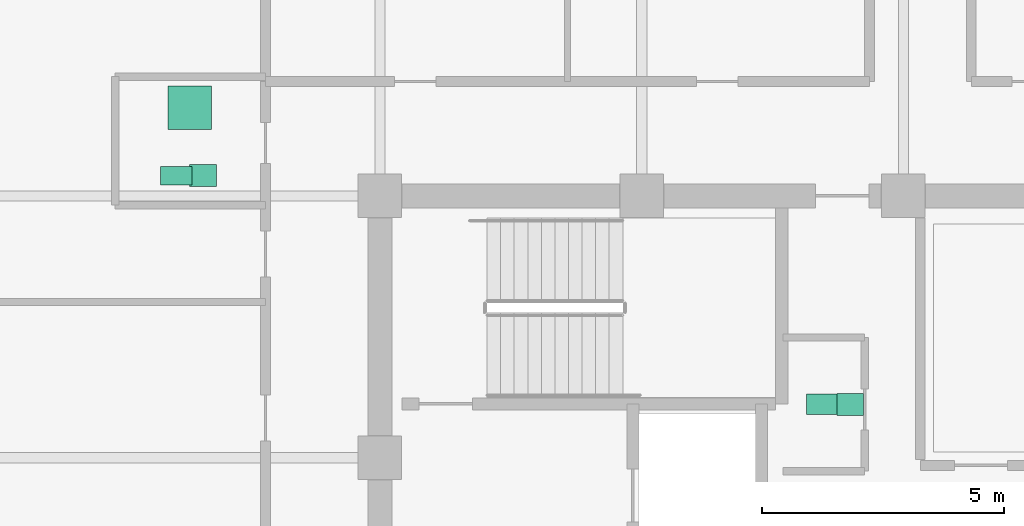
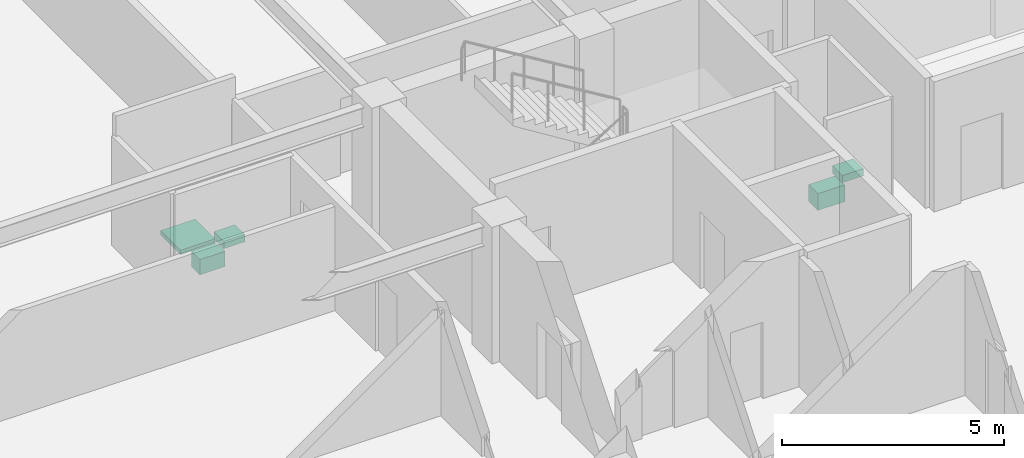
# One storey, part 31 of 31: 5 sanitary terminals.
"""IFC4 building model written with IfcOpenShell, lengths in metres."""

import ifcopenshell
import ifcopenshell.guid

model = None  # the IFC model being written
_history = None  # IfcOwnerHistory: only IFC2X3 demands one
_inside = {}  # id of a spatial element -> (the spatial element, [elements in it])
_under = {}  # id of a project, library or spatial element -> (it, [spatial elements below it])
_declared = {}  # id of a project -> (the project, [libraries it declares])
_typed = {}  # id of a type object -> (the type object, [elements of that type])
_made_of = {}  # id of a material, layer set ... -> (it, [elements and type objects made of it])


def new_model(schema):
    """Start an empty IFC model of exactly this schema.

    Asked for "IFC4X3", IfcOpenShell would pick the latest addendum, in which some entities
    have other attributes; the version numbers below select the first issue.
    IFC2X3 requires an IfcOwnerHistory on every rooted entity: one is made here for all.
    """
    global model, _history
    if schema == "IFC4X3":
        model = ifcopenshell.file(schema_version=(4, 3, 0, 0))
    else:
        model = ifcopenshell.file(schema=schema)
    _inside.clear()
    _under.clear()
    _declared.clear()
    _typed.clear()
    _made_of.clear()
    _history = None
    if model.schema == "IFC2X3":
        org = make("IfcOrganization", Name="unknown")
        user = make(
            "IfcPersonAndOrganization",
            ThePerson=make("IfcPerson", FamilyName="unknown"),
            TheOrganization=org,
        )
        app = make(
            "IfcApplication",
            ApplicationDeveloper=org,
            Version="unknown",
            ApplicationFullName="unknown",
            ApplicationIdentifier="unknown",
        )
        _history = make(
            "IfcOwnerHistory",
            OwningUser=user,
            OwningApplication=app,
            ChangeAction="ADDED",
            CreationDate=0,
        )
    return model


def make(cls, **values):
    """One entity of the class cls with the attributes given. An attribute that is None is left unset."""
    return model.create_entity(
        cls, **{name: value for name, value in values.items() if value is not None}
    )


def rooted(cls, **values):
    """An entity with a GlobalId (a new one), such as an element, a storey or a relation."""
    return make(cls, GlobalId=ifcopenshell.guid.new(), OwnerHistory=_history, **values)


def si_unit(unit_type, name, prefix=None):
    """IfcSIUnit, for example si_unit("LENGTHUNIT", "METRE", prefix="MILLI")."""
    return make("IfcSIUnit", UnitType=unit_type, Prefix=prefix, Name=name)


def assignment(units):
    """IfcUnitAssignment: the units of a project."""
    return None if units is None else make("IfcUnitAssignment", Units=units)


def point(xyz):
    """IfcCartesianPoint."""
    return None if xyz is None else make("IfcCartesianPoint", Coordinates=xyz)


def direction(xyz):
    """IfcDirection."""
    return None if xyz is None else make("IfcDirection", DirectionRatios=xyz)


def frame(location, z_axis=None, x_axis=None):
    """IfcAxis2Placement3D, a coordinate frame: its origin and axes. An axis left out is left unset."""
    return make(
        "IfcAxis2Placement3D",
        Location=point(location),
        Axis=direction(z_axis),
        RefDirection=direction(x_axis),
    )


def frame_2d(location, x_axis=None):
    """IfcAxis2Placement2D, a coordinate frame in the plane: its origin and x axis."""
    return make(
        "IfcAxis2Placement2D", Location=point(location), RefDirection=direction(x_axis)
    )


def origin():
    """The frame at (0, 0, 0) with its axes left unset."""
    return frame((0.0, 0.0, 0.0))


def origin_2d():
    """The frame at (0, 0) in the plane with its x axis left unset."""
    return frame_2d((0.0, 0.0))


def place(relative_to, where):
    """IfcLocalPlacement: puts the frame where relative to a parent placement (None: the world)."""
    return make(
        "IfcLocalPlacement", PlacementRelTo=relative_to, RelativePlacement=where
    )


def context(
    kind, dimensions, precision=None, world=None, true_north=None, identifier=None
):
    """IfcGeometricRepresentationContext, for example the 3D "Model" context."""
    return make(
        "IfcGeometricRepresentationContext",
        ContextIdentifier=identifier,
        ContextType=kind,
        CoordinateSpaceDimension=dimensions,
        Precision=precision,
        WorldCoordinateSystem=world,
        TrueNorth=true_north,
    )


def subcontext(parent, identifier, kind, view, scale=None):
    """IfcGeometricRepresentationSubContext, for example "Body" below "Model"."""
    return make(
        "IfcGeometricRepresentationSubContext",
        ContextIdentifier=identifier,
        ContextType=kind,
        ParentContext=parent,
        TargetScale=scale,
        TargetView=view,
    )


def project(units=None, contexts=None):
    """IfcProject with its units and contexts."""
    return rooted(
        "IfcProject",
        Name="project",
        RepresentationContexts=contexts,
        UnitsInContext=assignment(units),
    )


def spatial(cls, under=None, at=None, **own):
    """A site, building, storey or space (cls), placed at a placement, below another one or the project."""
    s = rooted(cls, ObjectPlacement=at, **own)
    if under is not None:
        _under.setdefault(under.id(), (under, []))[1].append(s)
    return s


def profile(cls, at=None, kind="AREA", **sizes):
    """A parametric profile (cls). Its sizes go by their IFC names, for example OverallWidth=200.0."""
    return make(cls, ProfileType=kind, Position=at, **sizes)


def rectangle(**sizes):
    """IfcRectangleProfileDef."""
    return profile("IfcRectangleProfileDef", **sizes)


def extrude(swept, where, along, depth):
    """IfcExtrudedAreaSolid: the profile swept, set in the frame where, extruded along a direction by depth."""
    return make(
        "IfcExtrudedAreaSolid",
        SweptArea=swept,
        Position=where,
        ExtrudedDirection=direction(along),
        Depth=depth,
    )


def shape(context_of_items, identifier, shape_type, items):
    """IfcShapeRepresentation: the items that make up one representation, for example the "Body"."""
    return make(
        "IfcShapeRepresentation",
        ContextOfItems=context_of_items,
        RepresentationIdentifier=identifier,
        RepresentationType=shape_type,
        Items=items,
    )


def material(Name=None, Category=None):
    """IfcMaterial."""
    return make("IfcMaterial", Name=Name, Category=Category)


def made_of(thing, what):
    """Note that an element or type object is made of a material, layer set ...; save() writes the relation."""
    if what is not None:
        _made_of.setdefault(what.id(), (what, []))[1].append(thing)
    return thing


def type_object(cls, material=None, **own):
    """A type object (cls), such as IfcWallType, which elements share."""
    return made_of(rooted(cls, **own), material)


def element(
    cls,
    number,
    at=None,
    inside=None,
    cuts=None,
    type_object=None,
    material=None,
    context=None,
    identifier="Body",
    shape_type=None,
    held_by="IfcProductDefinitionShape",
    body=None,
    shapes=None,
    **own,
):
    """One element of the class cls, such as IfcWall. Its Tag is "e" and its number.

    at: its placement. inside: the storey or other place that contains it. cuts: it is an
    opening in that element (IfcRelVoidsElement). A single representation is given by context,
    identifier, shape_type and body (its items); several are given by shapes. held_by: the class
    of the entity that holds the representations. save() writes the other relations.
    """
    e = rooted(cls, Tag="e%d" % number, ObjectPlacement=at, **own)
    if body is not None:
        shapes = [shape(context, identifier, shape_type, body)]
    if shapes is not None:
        e.Representation = make(held_by, Representations=shapes)
    if inside is not None:
        _inside.setdefault(inside.id(), (inside, []))[1].append(e)
    if cuts is not None:
        rooted(
            "IfcRelVoidsElement", RelatingBuildingElement=cuts, RelatedOpeningElement=e
        )
    if type_object is not None:
        _typed.setdefault(type_object.id(), (type_object, []))[1].append(e)
    return made_of(e, material)


def aggregate(whole, parts):
    """IfcRelAggregates: a whole, such as a stair, and the parts it consists of."""
    return rooted("IfcRelAggregates", RelatingObject=whole, RelatedObjects=parts)


def save(model, path):
    """Write the relations noted so far, then the file.

    IfcRelAggregates (storeys below a building ...), IfcRelContainedInSpatialStructure (elements
    in a storey), IfcRelDefinesByType, IfcRelAssociatesMaterial and IfcRelDeclares: one each for
    every whole, place, type object, material and project.
    """
    for whole, parts in _under.values():
        aggregate(whole, parts)
    for where, things in _inside.values():
        rooted(
            "IfcRelContainedInSpatialStructure",
            RelatedElements=things,
            RelatingStructure=where,
        )
    for kind, things in _typed.values():
        rooted("IfcRelDefinesByType", RelatedObjects=things, RelatingType=kind)
    for what, things in _made_of.values():
        rooted("IfcRelAssociatesMaterial", RelatedObjects=things, RelatingMaterial=what)
    for by, libraries in _declared.values():
        rooted("IfcRelDeclares", RelatingContext=by, RelatedDefinitions=libraries)
    model.write(path)


model = new_model("IFC4")

# Units and contexts
model_context = context("Model", 3, precision=1e-05, world=origin(), true_north=direction((0.0, 1.0)))
body_context = subcontext(model_context, "Body", "Model", "MODEL_VIEW")
ifc_project = project(units=[si_unit("LENGTHUNIT", "METRE"), si_unit("AREAUNIT", "SQUARE_METRE"), si_unit("VOLUMEUNIT", "CUBIC_METRE"), si_unit("PLANEANGLEUNIT", "RADIAN"), si_unit("MASSUNIT", "GRAM", prefix="KILO")], contexts=[model_context])

# Site, building, storey
site_placement = place(None, origin())
site = spatial("IfcSite", under=ifc_project, at=site_placement, CompositionType="ELEMENT")
building_placement = place(site_placement, origin())
building = spatial("IfcBuilding", under=site, at=building_placement, Name="Surkhivell Harbour Commons", CompositionType="ELEMENT")
storey_placement = place(building_placement, frame((0.0, 0.0, 330.0)))
storey = spatial("IfcBuildingStorey", under=building, at=storey_placement, Name="L86", CompositionType="ELEMENT", Elevation=330.0)

# Sanitary terminals
ifc_material_1 = material(Name="Vitreous china washbasin", Category="other")
sanitary_terminal_type_1 = type_object("IfcSanitaryTerminalType", Name="SAN-BSN", PredefinedType="WASHHANDBASIN", material=ifc_material_1)
for number, where, z_axis, x_axis, name in (
    (1, (-1.10009765625, 6.5, 0.72021484375), (0.0, 0.0, 1.0), (1.0, 0.0, 0.0), "L86 Core Accessible WC Washbasin"),
    (2, (-14.449951171875, 11.219970703125, 0.72021484375), (0.0, 0.0, 1.0), (1.0, 0.0, 0.0), "L86 West Communal Bathroom WC Washbasin"),
):
    element("IfcSanitaryTerminal", number, at=place(storey_placement, frame(where, z_axis=z_axis, x_axis=x_axis)), inside=storey, type_object=sanitary_terminal_type_1, Name=name, PredefinedType="WASHHANDBASIN", context=body_context, shape_type="SweptSolid", body=[
        extrude(rectangle(XDim=0.550048828125, YDim=0.449951171875, at=origin_2d()), origin(), (0.0, 0.0, 1.0), 0.199951171875),
    ])
ifc_material_2 = material(Name="Glazed porcelain shower tray", Category="other")
sanitary_terminal_type_2 = type_object("IfcSanitaryTerminalType", Name="SAN-SHW", PredefinedType="SHOWER", material=ifc_material_2)
sanitary_terminal_1_placement = place(storey_placement, frame((-14.719970703125, 12.6201171875, 0.0), z_axis=(0.0, 0.0, 1.0), x_axis=(1.0, 0.0, 0.0)))
element("IfcSanitaryTerminal", 3, at=sanitary_terminal_1_placement, inside=storey, type_object=sanitary_terminal_type_2, Name="L86 West Communal Shower Tray", PredefinedType="SHOWER", context=body_context, shape_type="SweptSolid", body=[
    extrude(rectangle(XDim=0.89990234375, YDim=0.89990234375, at=origin_2d()), origin(), (0.0, 0.0, 1.0), 0.1201171875),
])
ifc_material_3 = material(Name="Vitreous china sanitaryware", Category="other")
sanitary_terminal_type_3 = type_object("IfcSanitaryTerminalType", Name="SAN-WC-ACC", PredefinedType="TOILETPAN", material=ifc_material_3)
sanitary_terminal_2_placement = place(storey_placement, frame((-1.64990234375, 6.5, 0.169921875), z_axis=(0.0, 0.0, 1.0), x_axis=(1.0, 0.0, 0.0)))
element("IfcSanitaryTerminal", 4, at=sanitary_terminal_2_placement, inside=storey, type_object=sanitary_terminal_type_3, Name="L86 Core Accessible WC", PredefinedType="TOILETPAN", context=body_context, shape_type="SweptSolid", body=[
    extrude(rectangle(XDim=0.699951171875, YDim=0.419921875, at=origin_2d()), origin(), (0.0, 0.0, 1.0), 0.4599609375),
])
sanitary_terminal_type_4 = type_object("IfcSanitaryTerminalType", Name="SAN-WC-STD", PredefinedType="TOILETPAN", material=ifc_material_3)
sanitary_terminal_3_placement = place(storey_placement, frame((-15.0, 11.219970703125, 0.18994140625), z_axis=(0.0, 0.0, 1.0), x_axis=(1.0, 0.0, 0.0)))
element("IfcSanitaryTerminal", 5, at=sanitary_terminal_3_placement, inside=storey, type_object=sanitary_terminal_type_4, Name="L86 West Communal Bathroom WC", PredefinedType="TOILETPAN", context=body_context, shape_type="SweptSolid", body=[
    extrude(rectangle(XDim=0.64990234375, YDim=0.3798828125, at=origin_2d()), origin(), (0.0, 0.0, 1.0), 0.419921875),
])

save(model, "model.ifc")
